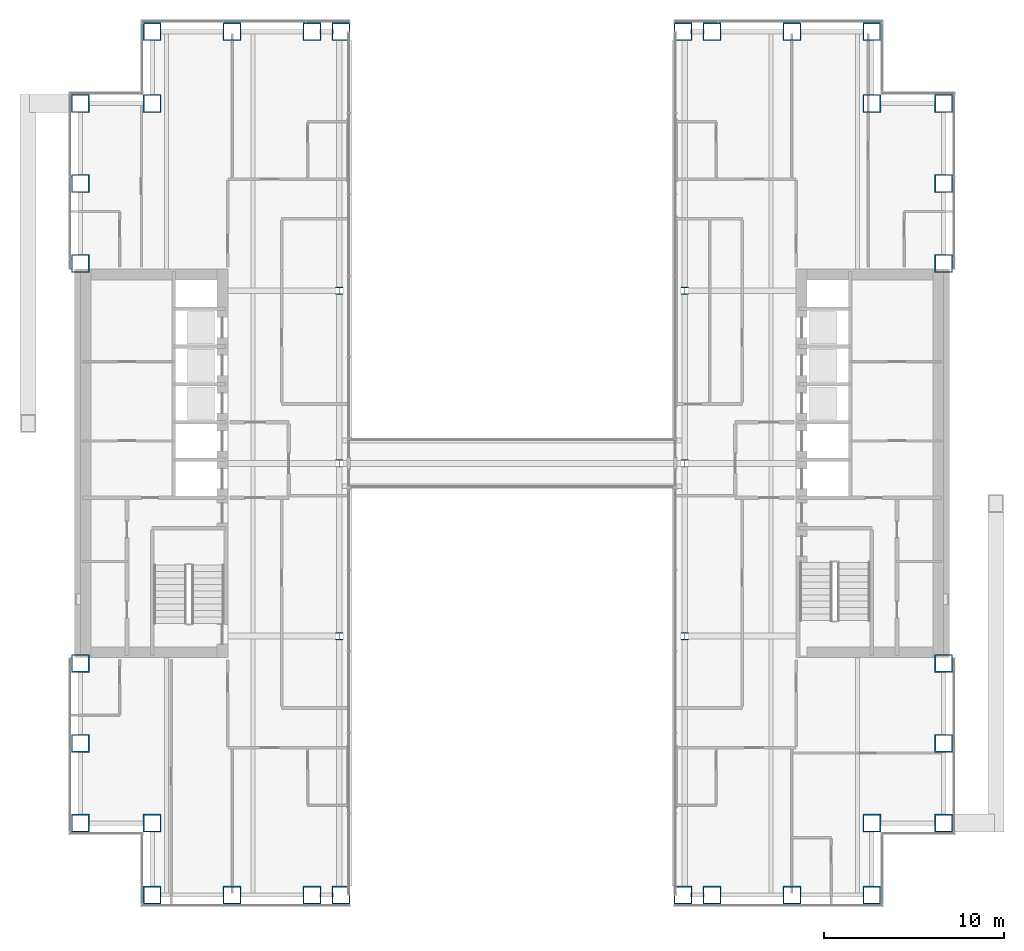
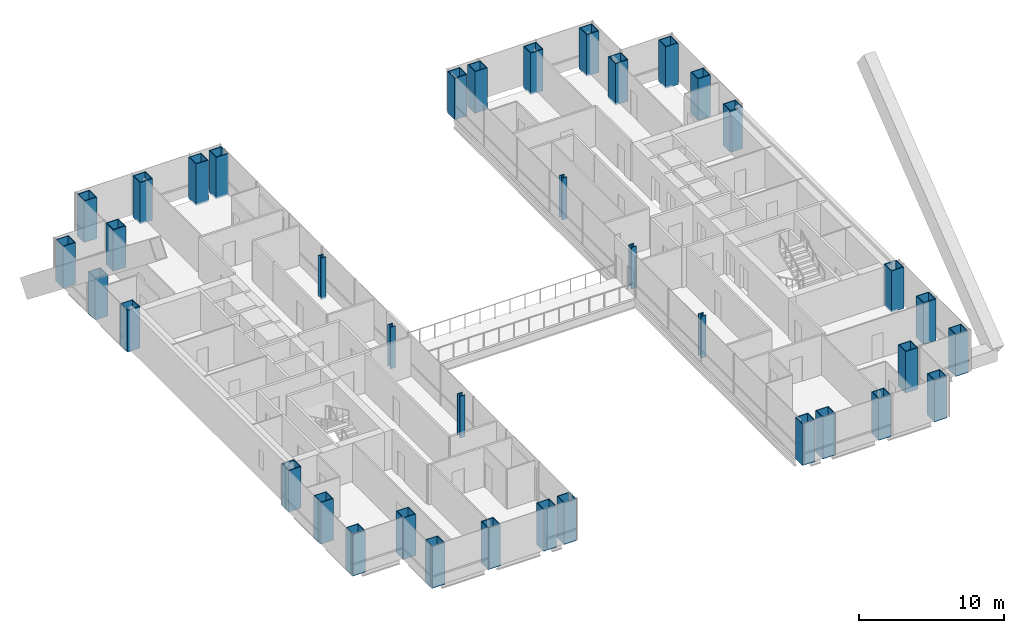
# One storey, part 1 of 19: 38 columns.
"""IFC4 building model written with IfcOpenShell, lengths in metres."""

from ifc_helpers import new_model, si_unit, direction, frame, origin, origin_2d, place, context, subcontext, project, spatial, hollow_rectangle, i_section, extrude, material, material_profile, profile_set, type_object, element, save


model = new_model("IFC4")

# Units and contexts
model_context = context("Model", 3, precision=1e-05, world=origin(), true_north=direction((0.0, 1.0)))
body_context = subcontext(model_context, "Body", "Model", "MODEL_VIEW")
ifc_project = project(units=[si_unit("LENGTHUNIT", "METRE"), si_unit("AREAUNIT", "SQUARE_METRE"), si_unit("VOLUMEUNIT", "CUBIC_METRE"), si_unit("PLANEANGLEUNIT", "RADIAN"), si_unit("MASSUNIT", "GRAM", prefix="KILO")], contexts=[model_context])

# Site, building, storey
site_placement = place(None, origin())
site = spatial("IfcSite", under=ifc_project, at=site_placement, CompositionType="ELEMENT")
building_placement = place(site_placement, origin())
building = spatial("IfcBuilding", under=site, at=building_placement, Name="Cobrizo Arcos Hotel Tower", CompositionType="ELEMENT")
storey_placement = place(building_placement, frame((0.0, 0.0, 70.5)))
storey = spatial("IfcBuildingStorey", under=building, at=storey_placement, Name="L16", CompositionType="ELEMENT", Elevation=70.5)

# Columns
ifc_material_1 = material(Name="Steel ASTM A572 Grade 50", Category="steel")
ifc_material_profile_1 = material_profile(ifc_material_1, hollow_rectangle(XDim=1.0, YDim=1.0, WallThickness=0.06005859375, at=origin_2d()), Name="BOX 1000X1000X60")
ifc_profile_set_1 = profile_set([ifc_material_profile_1], Name="Steel ASTM A572 Grade 50")
column_type_1 = type_object("IfcColumnType", Name="BOX 1000X1000X60 column", PredefinedType="COLUMN", material=ifc_profile_set_1)
for number, where, z_axis, x_axis, name in (
    (1, (-20.0, 24.0, -0.14990234375), (0.0, 0.0, 1.0), (1.0, 0.0, 0.0), "Perimeter column C4, L16, no. 00"),
    (2, (-20.0, -24.0, -0.14990234375), (0.0, 0.0, 1.0), (1.0, 0.0, 0.0), "Perimeter column C4, L16, no. 01"),
    (3, (-15.555908203125, 24.0, -0.14990234375), (0.0, 0.0, 1.0), (1.0, 0.0, 0.0), "Perimeter column C4, L16, no. 02"),
    (4, (-15.555908203125, -24.0, -0.14990234375), (0.0, 0.0, 1.0), (1.0, 0.0, 0.0), "Perimeter column C4, L16, no. 03"),
    (5, (-11.111083984375, 24.0, -0.14990234375), (0.0, 0.0, 1.0), (1.0, 0.0, 0.0), "Perimeter column C4, L16, no. 04"),
    (6, (-11.111083984375, -24.0, -0.14990234375), (0.0, 0.0, 1.0), (1.0, 0.0, 0.0), "Perimeter column C4, L16, no. 05"),
    (7, (11.111083984375, 24.0, -0.14990234375), (0.0, 0.0, 1.0), (1.0, 0.0, 0.0), "Perimeter column C4, L16, no. 06"),
    (8, (11.111083984375, -24.0, -0.14990234375), (0.0, 0.0, 1.0), (1.0, 0.0, 0.0), "Perimeter column C4, L16, no. 07"),
    (9, (15.555908203125, 24.0, -0.14990234375), (0.0, 0.0, 1.0), (1.0, 0.0, 0.0), "Perimeter column C4, L16, no. 08"),
    (10, (15.555908203125, -24.0, -0.14990234375), (0.0, 0.0, 1.0), (1.0, 0.0, 0.0), "Perimeter column C4, L16, no. 09"),
    (11, (20.0, 24.0, -0.14990234375), (0.0, 0.0, 1.0), (1.0, 0.0, 0.0), "Perimeter column C4, L16, no. 10"),
    (12, (20.0, -24.0, -0.14990234375), (0.0, 0.0, 1.0), (1.0, 0.0, 0.0), "Perimeter column C4, L16, no. 11"),
    (13, (24.0, -20.0, -0.14990234375), (0.0, 0.0, 1.0), (1.0, 0.0, 0.0), "Perimeter column C4, L16, no. 12"),
    (14, (-24.0, -20.0, -0.14990234375), (0.0, 0.0, 1.0), (1.0, 0.0, 0.0), "Perimeter column C4, L16, no. 13"),
    (15, (24.0, -15.555908203125, -0.14990234375), (0.0, 0.0, 1.0), (1.0, 0.0, 0.0), "Perimeter column C4, L16, no. 14"),
    (16, (-24.0, -15.555908203125, -0.14990234375), (0.0, 0.0, 1.0), (1.0, 0.0, 0.0), "Perimeter column C4, L16, no. 15"),
    (17, (24.0, -11.111083984375, -0.14990234375), (0.0, 0.0, 1.0), (1.0, 0.0, 0.0), "Perimeter column C4, L16, no. 16"),
    (18, (-24.0, -11.111083984375, -0.14990234375), (0.0, 0.0, 1.0), (1.0, 0.0, 0.0), "Perimeter column C4, L16, no. 17"),
    (19, (24.0, 11.111083984375, -0.14990234375), (0.0, 0.0, 1.0), (1.0, 0.0, 0.0), "Perimeter column C4, L16, no. 18"),
    (20, (-24.0, 11.111083984375, -0.14990234375), (0.0, 0.0, 1.0), (1.0, 0.0, 0.0), "Perimeter column C4, L16, no. 19"),
    (21, (24.0, 15.555908203125, -0.14990234375), (0.0, 0.0, 1.0), (1.0, 0.0, 0.0), "Perimeter column C4, L16, no. 20"),
    (22, (-24.0, 15.555908203125, -0.14990234375), (0.0, 0.0, 1.0), (1.0, 0.0, 0.0), "Perimeter column C4, L16, no. 21"),
    (23, (24.0, 20.0, -0.14990234375), (0.0, 0.0, 1.0), (1.0, 0.0, 0.0), "Perimeter column C4, L16, no. 22"),
    (24, (-24.0, 20.0, -0.14990234375), (0.0, 0.0, 1.0), (1.0, 0.0, 0.0), "Perimeter column C4, L16, no. 23"),
    (25, (-20.0, -20.0, -0.14990234375), (0.0, 0.0, 1.0), (1.0, 0.0, 0.0), "Perimeter column C4, L16, no. 24"),
    (26, (-20.0, 20.0, -0.14990234375), (0.0, 0.0, 1.0), (1.0, 0.0, 0.0), "Perimeter column C4, L16, no. 25"),
    (27, (20.0, -20.0, -0.14990234375), (0.0, 0.0, 1.0), (1.0, 0.0, 0.0), "Perimeter column C4, L16, no. 26"),
    (28, (20.0, 20.0, -0.14990234375), (0.0, 0.0, 1.0), (1.0, 0.0, 0.0), "Perimeter column C4, L16, no. 27"),
    (29, (-9.5, 24.0, -0.14990234375), (0.0, 0.0, 1.0), (1.0, 0.0, 0.0), "Perimeter column C4, L16, no. 28"),
    (30, (-9.5, -24.0, -0.14990234375), (0.0, 0.0, 1.0), (1.0, 0.0, 0.0), "Perimeter column C4, L16, no. 29"),
    (31, (9.5, 24.0, -0.14990234375), (0.0, 0.0, 1.0), (1.0, 0.0, 0.0), "Perimeter column C4, L16, no. 30"),
    (32, (9.5, -24.0, -0.14990234375), (0.0, 0.0, 1.0), (1.0, 0.0, 0.0), "Perimeter column C4, L16, no. 31"),
):
    element("IfcColumn", number, at=place(storey_placement, frame(where, z_axis=z_axis, x_axis=x_axis)), inside=storey, type_object=column_type_1, Name=name, PredefinedType="COLUMN", context=body_context, shape_type="SweptSolid", body=[
        extrude(hollow_rectangle(XDim=1.0, YDim=1.0, WallThickness=0.06005859375, at=origin_2d()), origin(), (0.0, 0.0, 1.0), 3.5),
    ])
ifc_material_2 = material(Name="Steel ASTM A992 Grade 50", Category="steel")
ifc_material_profile_2 = material_profile(ifc_material_2, i_section(OverallWidth=0.408935546875, OverallDepth=0.42431640625, WebThickness=0.03271484375, FlangeThickness=0.052490234375, at=origin_2d()), Name="W14X283")
ifc_profile_set_2 = profile_set([ifc_material_profile_2], Name="Steel ASTM A992 Grade 50")
column_type_2 = type_object("IfcColumnType", Name="W14X283 interior column", PredefinedType="COLUMN", material=ifc_profile_set_2)
for number, where, z_axis, x_axis, name in (
    (33, (-9.60009765625, -9.60009765625, -0.14990234375), (0.0, 0.0, 1.0), (1.0, 0.0, 0.0), "Interior column C5, L16, no. 00"),
    (34, (-9.60009765625, 0.0, -0.14990234375), (0.0, 0.0, 1.0), (1.0, 0.0, 0.0), "Interior column C5, L16, no. 01"),
    (35, (-9.60009765625, 9.60009765625, -0.14990234375), (0.0, 0.0, 1.0), (1.0, 0.0, 0.0), "Interior column C5, L16, no. 02"),
    (36, (9.60009765625, -9.60009765625, -0.14990234375), (0.0, 0.0, 1.0), (1.0, 0.0, 0.0), "Interior column C5, L16, no. 03"),
    (37, (9.60009765625, 0.0, -0.14990234375), (0.0, 0.0, 1.0), (1.0, 0.0, 0.0), "Interior column C5, L16, no. 04"),
    (38, (9.60009765625, 9.60009765625, -0.14990234375), (0.0, 0.0, 1.0), (1.0, 0.0, 0.0), "Interior column C5, L16, no. 05"),
):
    element("IfcColumn", number, at=place(storey_placement, frame(where, z_axis=z_axis, x_axis=x_axis)), inside=storey, type_object=column_type_2, Name=name, PredefinedType="COLUMN", context=body_context, shape_type="SweptSolid", body=[
        extrude(i_section(OverallWidth=0.408935546875, OverallDepth=0.42431640625, WebThickness=0.03271484375, FlangeThickness=0.052490234375, at=origin_2d()), origin(), (0.0, 0.0, 1.0), 3.5),
    ])

save(model, "model.ifc")
